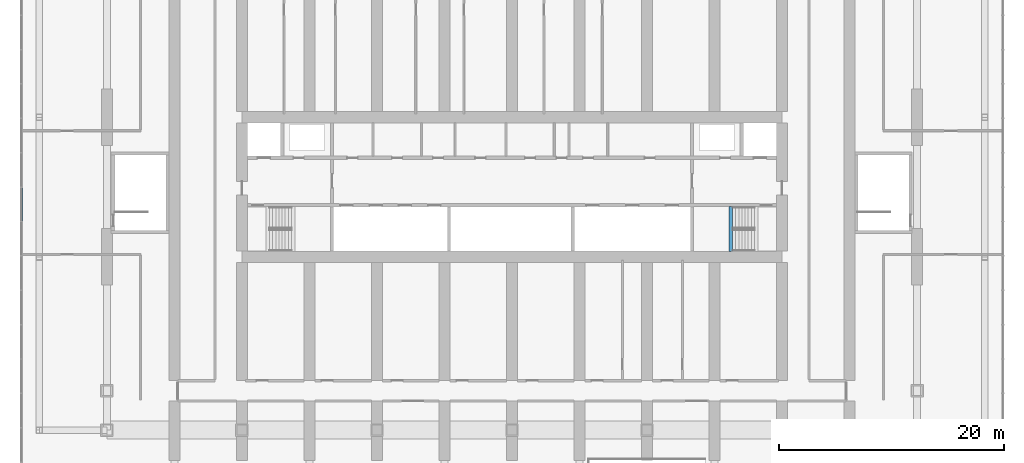
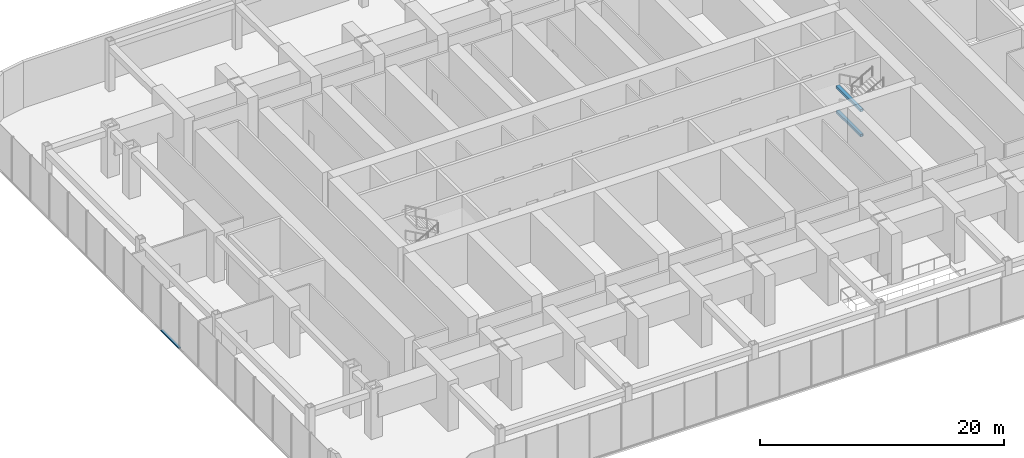
# One storey, part 5 of 26: 2 beams, 1 member, 1 element without a shape of its own.
"""IFC4 building model written with IfcOpenShell, lengths in metres."""

from ifc_helpers import new_model, si_unit, direction, frame, origin, origin_2d, place, context, subcontext, project, spatial, rectangle, hollow_rectangle, extrude, material, material_profile, profile_set, type_object, element, aggregate, save


model = new_model("IFC4")

# Units and contexts
model_context = context("Model", 3, precision=1e-05, world=origin(), true_north=direction((0.0, 1.0)))
body_context = subcontext(model_context, "Body", "Model", "MODEL_VIEW")
ifc_project = project(units=[si_unit("LENGTHUNIT", "METRE"), si_unit("AREAUNIT", "SQUARE_METRE"), si_unit("VOLUMEUNIT", "CUBIC_METRE"), si_unit("PLANEANGLEUNIT", "RADIAN"), si_unit("MASSUNIT", "GRAM", prefix="KILO")], contexts=[model_context])

# Site, building, storey
site_placement = place(None, origin())
site = spatial("IfcSite", under=ifc_project, at=site_placement, CompositionType="ELEMENT")
building_placement = place(site_placement, origin())
building = spatial("IfcBuilding", under=site, at=building_placement, Name="Orbita Commons", CompositionType="ELEMENT")
storey_placement = place(building_placement, frame((0.0, 0.0, 11.0)))
storey = spatial("IfcBuildingStorey", under=building, at=storey_placement, Name="L02", CompositionType="ELEMENT", Elevation=11.0)

# Curtain wall, member
ifc_material_1 = material(Name="Anodised aluminium frame, pale silver", Category="aluminium")
curtain_wall_type = type_object("IfcCurtainWallType", Name="Podium storefront curtain wall CW-P", PredefinedType="NOTDEFINED", material=ifc_material_1)
curtain_wall_placement = place(storey_placement, origin())
curtain_wall = element("IfcCurtainWall", 1, at=curtain_wall_placement, inside=storey, type_object=curtain_wall_type, Name="Curtain wall W 1 L02", PredefinedType="NOTDEFINED")
ifc_material_2 = material(Name="Anodised aluminium, pale silver", Category="aluminium")
ifc_material_profile_1 = material_profile(ifc_material_2, rectangle(XDim=0.219970703125, YDim=0.10009765625, at=origin_2d()), Name="AL 220x100")
ifc_profile_set_1 = profile_set([ifc_material_profile_1], Name="Anodised aluminium, pale silver")
member_type = type_object("IfcMemberType", Name="Curtain wall stack transom 220x100", PredefinedType="USERDEFINED", material=ifc_profile_set_1)
member_placement = place(storey_placement, frame((-1.610107421875, 31.9599609375, 0.050048828125), z_axis=(0.0, -1.0, 0.0), x_axis=(1.0, 0.0, 0.0)))
member = element("IfcMember", 2, at=member_placement, type_object=member_type, Name="Transom 10.1 CW-L02-W0", ObjectType="TRANSOM", PredefinedType="USERDEFINED", context=body_context, shape_type="SweptSolid", body=[
    extrude(rectangle(XDim=0.219970703125, YDim=0.10009765625, at=origin_2d()), origin(), (0.0, 0.0, 1.0), 2.9755859375),
])
aggregate(curtain_wall, [member])

# Beams
ifc_material_3 = material(Name="Steel ASTM A572 Gr 50 welded plate", Category="steel")
ifc_material_profile_2 = material_profile(ifc_material_3, hollow_rectangle(XDim=0.300048828125, YDim=0.25, WallThickness=0.02490234375, at=origin_2d()), Name="BOX 250x300x25")
ifc_profile_set_2 = profile_set([ifc_material_profile_2], Name="Steel ASTM A572 Gr 50 welded plate")
beam_type = type_object("IfcBeamType", Name="Stair landing beam steel BOX 250x300x25", PredefinedType="BEAM", material=ifc_profile_set_2)
for number, where, z_axis, x_axis, name in (
    (3, (61.43994140625, 26.284912109375, 0.925048828125), (0.0, 1.0, 0.0), (-1.0, 0.0, 0.0), "Stair S2 landing beam L02 1"),
    (4, (61.43994140625, 26.284912109375, 3.425048828125), (0.0, 1.0, 0.0), (-1.0, 0.0, 0.0), "Stair S2 landing beam L02 3"),
):
    element("IfcBeam", number, at=place(storey_placement, frame(where, z_axis=z_axis, x_axis=x_axis)), inside=storey, type_object=beam_type, Name=name, PredefinedType="BEAM", context=body_context, shape_type="SweptSolid", body=[
        extrude(hollow_rectangle(XDim=0.300048828125, YDim=0.25, WallThickness=0.02490234375, at=origin_2d()), origin(), (0.0, 0.0, 1.0), 3.97998046875),
    ])

save(model, "model.ifc")
